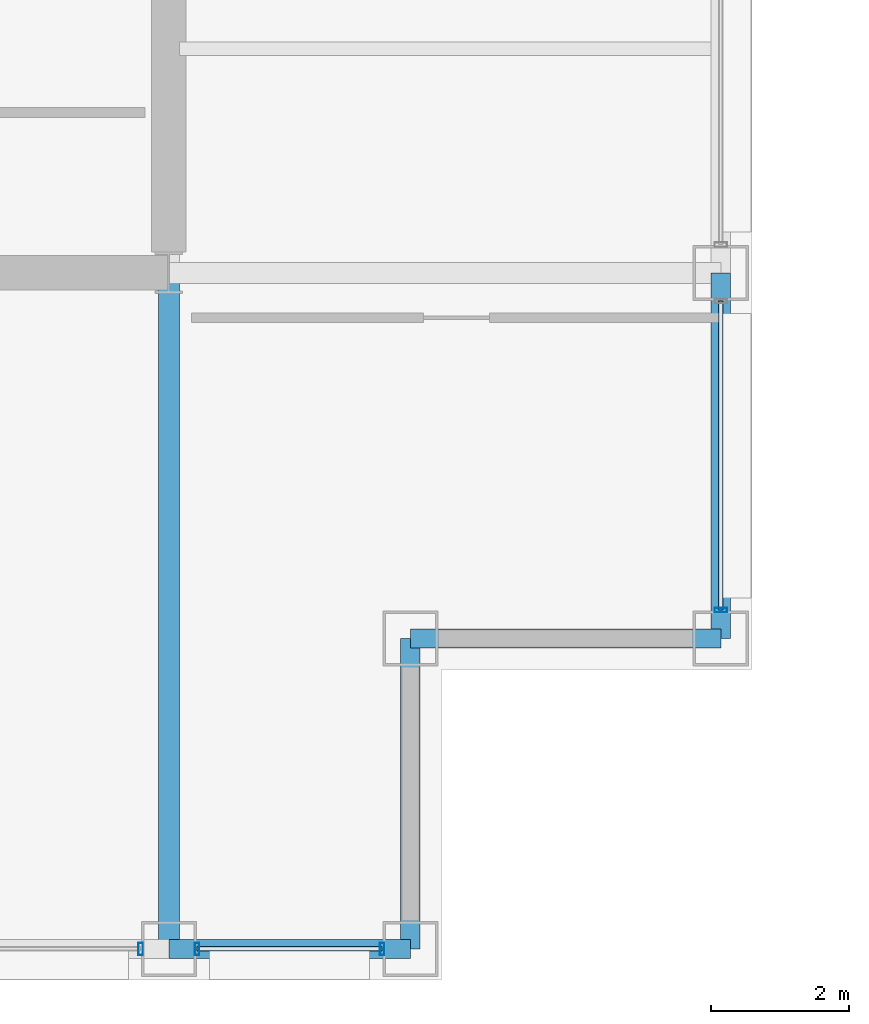
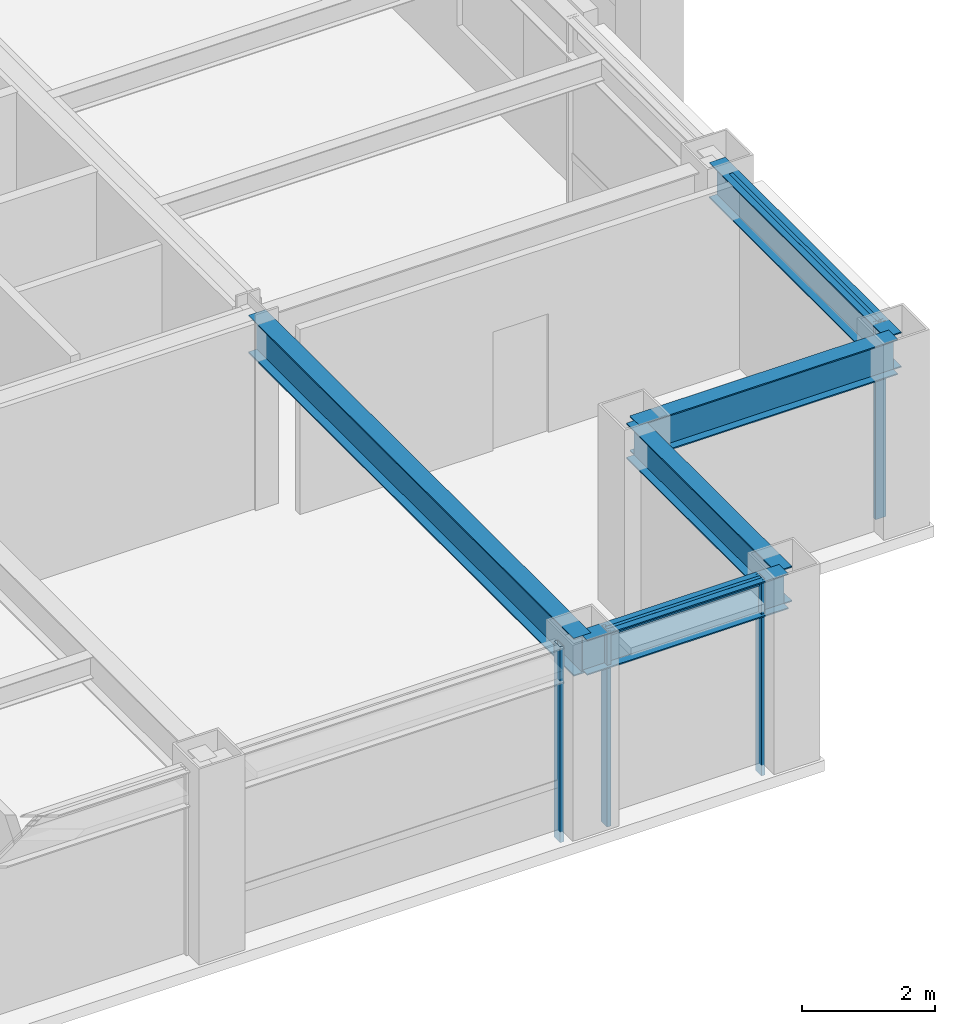
# One storey, part 12 of 29: 6 members, 5 beams, 3 elements without a shape of their own.
"""IFC4 building model written with IfcOpenShell, lengths in metres."""

from ifc_helpers import new_model, si_unit, direction, frame, origin, origin_2d, place, context, subcontext, project, spatial, hollow_rectangle, i_section, extrude, material, layer, layer_set, material_profile, profile_set, type_object, element, aggregate, save


model = new_model("IFC4")

# Units and contexts
model_context = context("Model", 3, precision=1e-05, world=origin(), true_north=direction((0.0, 1.0)))
body_context = subcontext(model_context, "Body", "Model", "MODEL_VIEW")
ifc_project = project(units=[si_unit("LENGTHUNIT", "METRE"), si_unit("AREAUNIT", "SQUARE_METRE"), si_unit("VOLUMEUNIT", "CUBIC_METRE"), si_unit("PLANEANGLEUNIT", "RADIAN"), si_unit("MASSUNIT", "GRAM", prefix="KILO")], contexts=[model_context])

# Site, building, storey
site_placement = place(None, origin())
site = spatial("IfcSite", under=ifc_project, at=site_placement, CompositionType="ELEMENT")
building_placement = place(site_placement, origin())
building = spatial("IfcBuilding", under=site, at=building_placement, Name="Brelmoor Portico Tower", CompositionType="ELEMENT")
storey_placement = place(building_placement, frame((0.0, 0.0, 135.0)))
storey = spatial("IfcBuildingStorey", under=building, at=storey_placement, Name="L35", CompositionType="ELEMENT", Elevation=135.0)

# Beams
ifc_material_1 = material(Name="Steel Q355B", Category="steel")
ifc_material_profile_1 = material_profile(ifc_material_1, i_section(OverallWidth=0.300048828125, OverallDepth=0.699951171875, WebThickness=0.012939453125, FlangeThickness=0.02392578125, at=origin_2d()), Name="HN 700x300x13x24")
ifc_profile_set_1 = profile_set([ifc_material_profile_1], Name="Steel Q355B")
beam_type_1 = type_object("IfcBeamType", Name="BM-PG-700", PredefinedType="BEAM", material=ifc_profile_set_1)
beam_1_placement = place(storey_placement, frame((14.550048828125, -19.550048828125, 3.050048828125), z_axis=(0.0, 1.0, 0.0), x_axis=(-1.0, 0.0, 0.0)))
element("IfcBeam", 1, at=beam_1_placement, inside=storey, type_object=beam_type_1, Name="L35 Primary Floor Girder PG-10", PredefinedType="BEAM", context=body_context, shape_type="SweptSolid", body=[
    extrude(i_section(OverallWidth=0.300048828125, OverallDepth=0.699951171875, WebThickness=0.012939453125, FlangeThickness=0.02392578125, at=origin_2d()), origin(), (0.0, 0.0, 1.0), 9.800048828125),
])
ifc_material_profile_2 = material_profile(ifc_material_1, i_section(OverallWidth=0.280029296875, OverallDepth=0.64990234375, WebThickness=0.012939453125, FlangeThickness=0.02197265625, at=origin_2d()), Name="HN 650x280x13x22")
ifc_profile_set_2 = profile_set([ifc_material_profile_2], Name="Steel Q355B")
beam_type_2 = type_object("IfcBeamType", Name="BM-SP-650", PredefinedType="SPANDREL", material=ifc_profile_set_2)
beam_2_placement = place(storey_placement, frame((14.550048828125, -19.550048828125, 3.074951171875), z_axis=(1.0, 0.0, 0.0), x_axis=(0.0, 1.0, 0.0)))
element("IfcBeam", 2, at=beam_2_placement, inside=storey, type_object=beam_type_2, Name="L35 Perimeter Spandrel Beam SP-05", PredefinedType="SPANDREL", context=body_context, shape_type="SweptSolid", body=[
    extrude(i_section(OverallWidth=0.280029296875, OverallDepth=0.64990234375, WebThickness=0.012939453125, FlangeThickness=0.02197265625, at=origin_2d()), origin(), (0.0, 0.0, 1.0), 3.5),
])
for number, where, z_axis, x_axis, name in (
    (3, (18.050048828125, -15.050048828125, 3.074951171875), (1.0, 0.0, 0.0), (0.0, 1.0, 0.0), "L35 Perimeter Spandrel Beam SP-07"),
    (4, (18.050048828125, -19.550048828125, 3.074951171875), (0.0, 1.0, 0.0), (-1.0, 0.0, 0.0), "L35 Perimeter Spandrel Beam SP-20"),
):
    element("IfcBeam", number, at=place(storey_placement, frame(where, z_axis=z_axis, x_axis=x_axis)), inside=storey, type_object=beam_type_2, Name=name, PredefinedType="SPANDREL", context=body_context, shape_type="SweptSolid", body=[
        extrude(i_section(OverallWidth=0.280029296875, OverallDepth=0.64990234375, WebThickness=0.012939453125, FlangeThickness=0.02197265625, at=origin_2d()), origin(), (0.0, 0.0, 1.0), 4.5),
    ])
beam_3_placement = place(storey_placement, frame((22.550048828125, -15.050048828125, 3.074951171875), z_axis=(0.0, 1.0, 0.0), x_axis=(-1.0, 0.0, 0.0)))
element("IfcBeam", 5, at=beam_3_placement, inside=storey, type_object=beam_type_2, Name="L35 Perimeter Spandrel Beam SP-22", PredefinedType="SPANDREL", context=body_context, shape_type="SweptSolid", body=[
    extrude(i_section(OverallWidth=0.280029296875, OverallDepth=0.64990234375, WebThickness=0.012939453125, FlangeThickness=0.02197265625, at=origin_2d()), origin(), (0.0, 0.0, 1.0), 5.300048828125),
])

# Curtain wall, member
ifc_material_2 = material(Name="Anodised Aluminium Alloy 6063-T6", Category="aluminium")
ifc_layer_1 = layer(ifc_material_2, 0.179931640625)
ifc_layer_set_1 = layer_set([ifc_layer_1], Name="Anodised Aluminium Alloy 6063-T6")
curtain_wall_type_1 = type_object("IfcCurtainWallType", Name="CW-TOWER-Z2", PredefinedType="NOTDEFINED", material=ifc_layer_set_1)
curtain_wall_1_placement = place(storey_placement, origin())
curtain_wall_1 = element("IfcCurtainWall", 6, at=curtain_wall_1_placement, inside=storey, type_object=curtain_wall_type_1, Name="L35 Curtain Wall CW-L35-01-4", PredefinedType="NOTDEFINED")
ifc_material_profile_3 = material_profile(ifc_material_2, hollow_rectangle(XDim=0.06494140625, YDim=0.179931640625, WallThickness=0.00390625, at=origin_2d()), Name="ALU MULLION 65x180")
ifc_profile_set_3 = profile_set([ifc_material_profile_3], Name="Anodised Aluminium Alloy 6063-T6")
member_type_1 = type_object("IfcMemberType", Name="MB-CW-MULL-180", PredefinedType="MULLION", material=ifc_profile_set_3)
member_1_placement = place(storey_placement, frame((14.139892578125, -19.550048828125, -0.199951171875), z_axis=(0.0, 0.0, 1.0), x_axis=(1.0, 0.0, 0.0)))
member_1 = element("IfcMember", 7, at=member_1_placement, type_object=member_type_1, Name="CW-L35-01-4 Mullion 01", PredefinedType="MULLION", context=body_context, shape_type="SweptSolid", body=[
    extrude(hollow_rectangle(XDim=0.06494140625, YDim=0.179931640625, WallThickness=0.00390625, at=origin_2d()), origin(), (0.0, 0.0, 1.0), 3.599853515625),
])
aggregate(curtain_wall_1, [member_1])

# Curtain wall, members
ifc_layer_2 = layer(ifc_material_2, 0.179931640625)
ifc_layer_set_2 = layer_set([ifc_layer_2], Name="Anodised Aluminium Alloy 6063-T6")
curtain_wall_type_2 = type_object("IfcCurtainWallType", Name="CW-TOWER-Z2-XB", PredefinedType="NOTDEFINED", material=ifc_layer_set_2)
curtain_wall_2_placement = place(storey_placement, origin())
curtain_wall_2 = element("IfcCurtainWall", 8, at=curtain_wall_2_placement, inside=storey, type_object=curtain_wall_type_2, Name="L35 Curtain Wall CW-L35-01-5", PredefinedType="NOTDEFINED")
member_2_placement = place(storey_placement, frame((14.9599609375, -19.550048828125, -0.199951171875), z_axis=(0.0, 0.0, 1.0), x_axis=(1.0, 0.0, 0.0)))
member_2 = element("IfcMember", 9, at=member_2_placement, type_object=member_type_1, Name="CW-L35-01-5 Mullion 00", PredefinedType="MULLION", context=body_context, shape_type="SweptSolid", body=[
    extrude(hollow_rectangle(XDim=0.06494140625, YDim=0.179931640625, WallThickness=0.00390625, at=origin_2d()), origin(), (0.0, 0.0, 1.0), 3.599853515625),
])
member_3_placement = place(storey_placement, frame((17.639892578125, -19.550048828125, -0.199951171875), z_axis=(0.0, 0.0, 1.0), x_axis=(1.0, 0.0, 0.0)))
member_3 = element("IfcMember", 10, at=member_3_placement, type_object=member_type_1, Name="CW-L35-01-5 Mullion 01", PredefinedType="MULLION", context=body_context, shape_type="SweptSolid", body=[
    extrude(hollow_rectangle(XDim=0.06494140625, YDim=0.179931640625, WallThickness=0.00390625, at=origin_2d()), origin(), (0.0, 0.0, 1.0), 3.599853515625),
])

# Curtain wall, member
curtain_wall_3_placement = place(storey_placement, origin())
curtain_wall_3 = element("IfcCurtainWall", 11, at=curtain_wall_3_placement, inside=storey, type_object=curtain_wall_type_2, Name="L35 Curtain Wall CW-L35-4L-1", PredefinedType="NOTDEFINED")
member_4_placement = place(storey_placement, frame((22.550048828125, -14.639892578125, -0.199951171875), z_axis=(0.0, 0.0, 1.0), x_axis=(0.0, 1.0, 0.0)))
member_4 = element("IfcMember", 12, at=member_4_placement, type_object=member_type_1, Name="CW-L35-4L-1 Mullion 00", PredefinedType="MULLION", context=body_context, shape_type="SweptSolid", body=[
    extrude(hollow_rectangle(XDim=0.06494140625, YDim=0.179931640625, WallThickness=0.00390625, at=origin_2d()), origin(), (0.0, 0.0, 1.0), 3.599853515625),
])

# Member
ifc_material_profile_4 = material_profile(ifc_material_2, hollow_rectangle(XDim=0.06494140625, YDim=0.139892578125, WallThickness=0.00390625, at=origin_2d()), Name="ALU TRANSOM 65x140")
ifc_profile_set_4 = profile_set([ifc_material_profile_4], Name="Anodised Aluminium Alloy 6063-T6")
member_type_2 = type_object("IfcMemberType", Name="MB-CW-TRAN-140", PredefinedType="USERDEFINED", material=ifc_profile_set_4)
member_5_placement = place(storey_placement, frame((14.9599609375, -19.550048828125, 3.330078125), z_axis=(1.0, 0.0, 0.0), x_axis=(0.0, 1.0, 0.0)))
member_5 = element("IfcMember", 13, at=member_5_placement, type_object=member_type_2, Name="CW-L35-01-5 Transom 1-00", ObjectType="TRANSOM", PredefinedType="USERDEFINED", context=body_context, shape_type="SweptSolid", body=[
    extrude(hollow_rectangle(XDim=0.06494140625, YDim=0.139892578125, WallThickness=0.00390625, at=origin_2d()), origin(), (0.0, 0.0, 1.0), 2.679931640625),
])

aggregate(curtain_wall_2, [member_2, member_3, member_5])

member_6_placement = place(storey_placement, frame((22.550048828125, -14.639892578125, 3.330078125), z_axis=(0.0, 1.0, 0.0), x_axis=(-1.0, 0.0, 0.0)))
member_6 = element("IfcMember", 14, at=member_6_placement, type_object=member_type_2, Name="CW-L35-4L-1 Transom 1-00", ObjectType="TRANSOM", PredefinedType="USERDEFINED", context=body_context, shape_type="SweptSolid", body=[
    extrude(hollow_rectangle(XDim=0.06494140625, YDim=0.139892578125, WallThickness=0.00390625, at=origin_2d()), origin(), (0.0, 0.0, 1.0), 4.47998046875),
])

aggregate(curtain_wall_3, [member_4, member_6])

save(model, "model.ifc")
